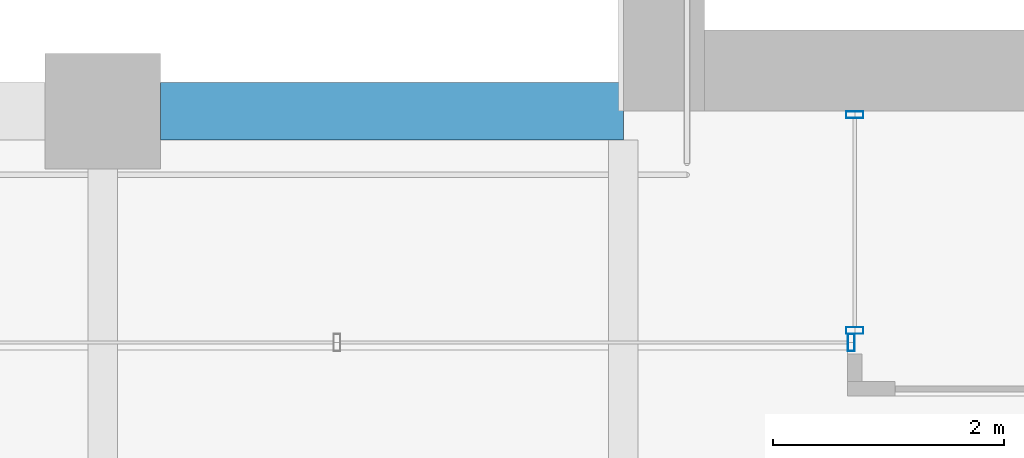
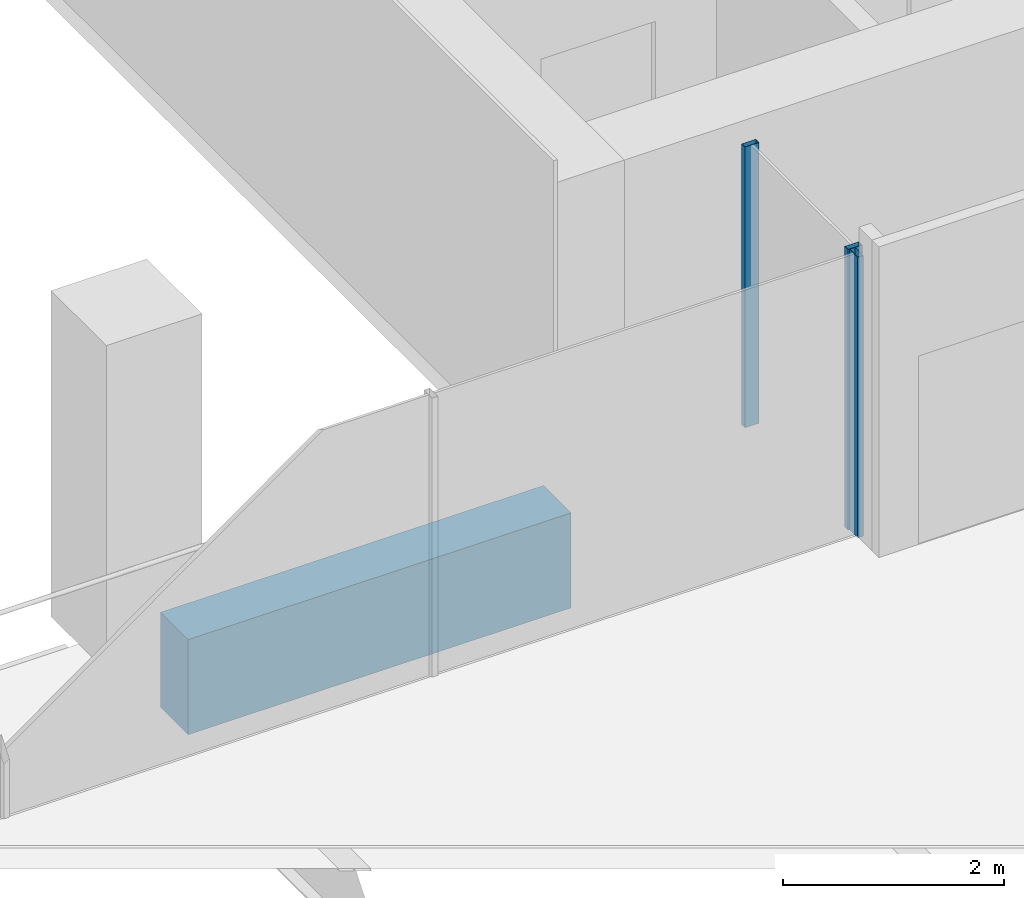
# One storey, part 6 of 46: 3 members, 1 beam, 2 elements without a shape of their own.
"""IFC4 building model written with IfcOpenShell, lengths in metres."""

from ifc_helpers import new_model, si_unit, direction, frame, origin, origin_2d, place, context, subcontext, project, spatial, rectangle, hollow_rectangle, extrude, material, material_profile, profile_set, type_object, element, aggregate, save


model = new_model("IFC4")

# Units and contexts
model_context = context("Model", 3, precision=1e-05, world=origin(), true_north=direction((0.0, 1.0)))
body_context = subcontext(model_context, "Body", "Model", "MODEL_VIEW")
ifc_project = project(units=[si_unit("LENGTHUNIT", "METRE"), si_unit("AREAUNIT", "SQUARE_METRE"), si_unit("VOLUMEUNIT", "CUBIC_METRE"), si_unit("PLANEANGLEUNIT", "RADIAN"), si_unit("MASSUNIT", "GRAM", prefix="KILO")], contexts=[model_context])

# Site, building, storey
site_placement = place(None, origin())
site = spatial("IfcSite", under=ifc_project, at=site_placement, CompositionType="ELEMENT")
building_placement = place(site_placement, origin())
building = spatial("IfcBuilding", under=site, at=building_placement, Name="Altepetl Exchange Towers", CompositionType="ELEMENT")
storey_placement = place(building_placement, frame((0.0, 0.0, 124.39990234375)))
storey = spatial("IfcBuildingStorey", under=building, at=storey_placement, Name="L30", CompositionType="ELEMENT", Elevation=124.39990234375)

# Curtain wall, members
ifc_material_1 = material(Name="Aluminium 6063-T6 glazing", Category="aluminium")
curtain_wall_type = type_object("IfcCurtainWallType", Name="Loggia glazing system", PredefinedType="NOTDEFINED", material=ifc_material_1)
curtain_wall_1_placement = place(storey_placement, origin())
curtain_wall_1 = element("IfcCurtainWall", 1, at=curtain_wall_1_placement, inside=storey, type_object=curtain_wall_type, Name="CW1 run", PredefinedType="NOTDEFINED")
ifc_material_2 = material(Name="Aluminium 6063-T6", Category="aluminium")
ifc_material_profile_1 = material_profile(ifc_material_2, hollow_rectangle(XDim=0.06005859375, YDim=0.14990234375, WallThickness=0.0029296875, at=origin_2d()), Name="Mullion 60x150 aluminium")
ifc_profile_set_1 = profile_set([ifc_material_profile_1], Name="Aluminium 6063-T6")
member_type = type_object("IfcMemberType", Name="Mullion 60x150 aluminium", PredefinedType="MULLION", material=ifc_profile_set_1)
member_1_placement = place(storey_placement, frame((42.5, 40.469970703125, 0.0), z_axis=(0.0, 0.0, 1.0), x_axis=(0.0, -1.0, 0.0)))
member_1 = element("IfcMember", 2, at=member_1_placement, type_object=member_type, Name="MU1 mullion", PredefinedType="MULLION", context=body_context, shape_type="SweptSolid", body=[
    extrude(hollow_rectangle(XDim=0.06005859375, YDim=0.14990234375, WallThickness=0.0029296875, at=origin_2d()), origin(), (0.0, 0.0, 1.0), 3.10009765625),
])
member_2_placement = place(storey_placement, frame((42.5, 38.60498046875, 0.0), z_axis=(0.0, 0.0, 1.0), x_axis=(0.0, -1.0, 0.0)))
member_2 = element("IfcMember", 3, at=member_2_placement, type_object=member_type, Name="MU1 mullion", PredefinedType="MULLION", context=body_context, shape_type="SweptSolid", body=[
    extrude(hollow_rectangle(XDim=0.06005859375, YDim=0.14990234375, WallThickness=0.0029296875, at=origin_2d()), origin(), (0.0, 0.0, 1.0), 3.10009765625),
])
aggregate(curtain_wall_1, [member_1, member_2])

# Curtain wall, member
curtain_wall_2_placement = place(storey_placement, origin())
curtain_wall_2 = element("IfcCurtainWall", 4, at=curtain_wall_2_placement, inside=storey, type_object=curtain_wall_type, Name="CW1 run", PredefinedType="NOTDEFINED")
member_3_placement = place(storey_placement, frame((42.469970703125, 38.5, 0.0), z_axis=(0.0, 0.0, 1.0), x_axis=(-1.0, 0.0, 0.0)))
member_3 = element("IfcMember", 5, at=member_3_placement, type_object=member_type, Name="MU1 mullion", PredefinedType="MULLION", context=body_context, shape_type="SweptSolid", body=[
    extrude(hollow_rectangle(XDim=0.06005859375, YDim=0.14990234375, WallThickness=0.0029296875, at=origin_2d()), origin(), (0.0, 0.0, 1.0), 3.10009765625),
])
aggregate(curtain_wall_2, [member_3])

# Beam
ifc_material_3 = material(Name="Concrete C50/60 precast with tezontle facing", Category="concrete")
ifc_material_profile_2 = material_profile(ifc_material_3, rectangle(XDim=0.5, YDim=1.050048828125, at=origin_2d()), Name="500 x 1050")
ifc_profile_set_2 = profile_set([ifc_material_profile_2], Name="Concrete C50/60 precast with tezontle facing")
beam_type = type_object("IfcBeamType", Name="Spandrel beam 500x1050 tezontle", PredefinedType="SPANDREL", material=ifc_profile_set_2)
beam_placement = place(storey_placement, frame((40.5, 40.5, -0.6748046875), z_axis=(-1.0, 0.0, 0.0), x_axis=(0.0, -1.0, 0.0)))
element("IfcBeam", 6, at=beam_placement, inside=storey, type_object=beam_type, Name="sp:A:L30:033", PredefinedType="SPANDREL", context=body_context, shape_type="SweptSolid", body=[
    extrude(rectangle(XDim=0.5, YDim=1.050048828125, at=origin_2d()), origin(), (0.0, 0.0, 1.0), 4.0),
])

save(model, "model.ifc")
